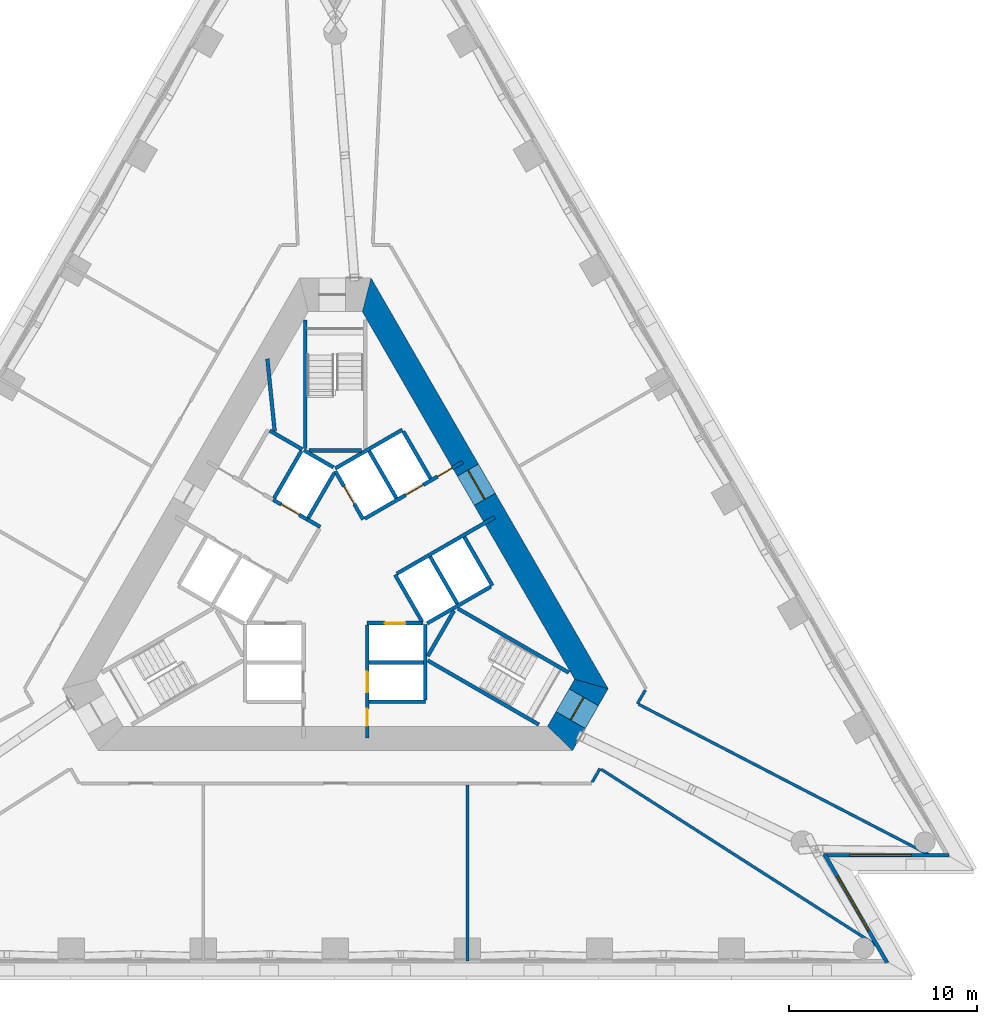
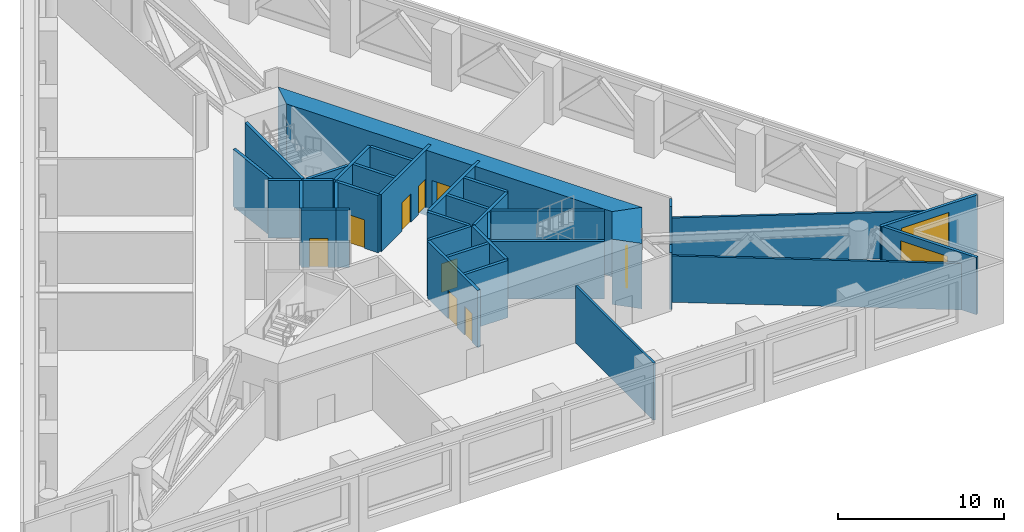
# One storey, part 8 of 12: 36 walls, 9 doors, 2 windows, 11 openings.
"""IFC4 building model written with IfcOpenShell, lengths in metres."""

import ifcopenshell
import ifcopenshell.guid

model = None  # the IFC model being written
_history = None  # IfcOwnerHistory: only IFC2X3 demands one
_inside = {}  # id of a spatial element -> (the spatial element, [elements in it])
_under = {}  # id of a project, library or spatial element -> (it, [spatial elements below it])
_declared = {}  # id of a project -> (the project, [libraries it declares])
_typed = {}  # id of a type object -> (the type object, [elements of that type])
_made_of = {}  # id of a material, layer set ... -> (it, [elements and type objects made of it])


def new_model(schema):
    """Start an empty IFC model of exactly this schema.

    Asked for "IFC4X3", IfcOpenShell would pick the latest addendum, in which some entities
    have other attributes; the version numbers below select the first issue.
    IFC2X3 requires an IfcOwnerHistory on every rooted entity: one is made here for all.
    """
    global model, _history
    if schema == "IFC4X3":
        model = ifcopenshell.file(schema_version=(4, 3, 0, 0))
    else:
        model = ifcopenshell.file(schema=schema)
    _inside.clear()
    _under.clear()
    _declared.clear()
    _typed.clear()
    _made_of.clear()
    _history = None
    if model.schema == "IFC2X3":
        org = make("IfcOrganization", Name="unknown")
        user = make(
            "IfcPersonAndOrganization",
            ThePerson=make("IfcPerson", FamilyName="unknown"),
            TheOrganization=org,
        )
        app = make(
            "IfcApplication",
            ApplicationDeveloper=org,
            Version="unknown",
            ApplicationFullName="unknown",
            ApplicationIdentifier="unknown",
        )
        _history = make(
            "IfcOwnerHistory",
            OwningUser=user,
            OwningApplication=app,
            ChangeAction="ADDED",
            CreationDate=0,
        )
    return model


def make(cls, **values):
    """One entity of the class cls with the attributes given. An attribute that is None is left unset."""
    return model.create_entity(
        cls, **{name: value for name, value in values.items() if value is not None}
    )


def rooted(cls, **values):
    """An entity with a GlobalId (a new one), such as an element, a storey or a relation."""
    return make(cls, GlobalId=ifcopenshell.guid.new(), OwnerHistory=_history, **values)


def si_unit(unit_type, name, prefix=None):
    """IfcSIUnit, for example si_unit("LENGTHUNIT", "METRE", prefix="MILLI")."""
    return make("IfcSIUnit", UnitType=unit_type, Prefix=prefix, Name=name)


def assignment(units):
    """IfcUnitAssignment: the units of a project."""
    return None if units is None else make("IfcUnitAssignment", Units=units)


def point(xyz):
    """IfcCartesianPoint."""
    return None if xyz is None else make("IfcCartesianPoint", Coordinates=xyz)


def direction(xyz):
    """IfcDirection."""
    return None if xyz is None else make("IfcDirection", DirectionRatios=xyz)


def frame(location, z_axis=None, x_axis=None):
    """IfcAxis2Placement3D, a coordinate frame: its origin and axes. An axis left out is left unset."""
    return make(
        "IfcAxis2Placement3D",
        Location=point(location),
        Axis=direction(z_axis),
        RefDirection=direction(x_axis),
    )


def frame_2d(location, x_axis=None):
    """IfcAxis2Placement2D, a coordinate frame in the plane: its origin and x axis."""
    return make(
        "IfcAxis2Placement2D", Location=point(location), RefDirection=direction(x_axis)
    )


def origin():
    """The frame at (0, 0, 0) with its axes left unset."""
    return frame((0.0, 0.0, 0.0))


def place(relative_to, where):
    """IfcLocalPlacement: puts the frame where relative to a parent placement (None: the world)."""
    return make(
        "IfcLocalPlacement", PlacementRelTo=relative_to, RelativePlacement=where
    )


def context(
    kind, dimensions, precision=None, world=None, true_north=None, identifier=None
):
    """IfcGeometricRepresentationContext, for example the 3D "Model" context."""
    return make(
        "IfcGeometricRepresentationContext",
        ContextIdentifier=identifier,
        ContextType=kind,
        CoordinateSpaceDimension=dimensions,
        Precision=precision,
        WorldCoordinateSystem=world,
        TrueNorth=true_north,
    )


def subcontext(parent, identifier, kind, view, scale=None):
    """IfcGeometricRepresentationSubContext, for example "Body" below "Model"."""
    return make(
        "IfcGeometricRepresentationSubContext",
        ContextIdentifier=identifier,
        ContextType=kind,
        ParentContext=parent,
        TargetScale=scale,
        TargetView=view,
    )


def project(units=None, contexts=None):
    """IfcProject with its units and contexts."""
    return rooted(
        "IfcProject",
        Name="project",
        RepresentationContexts=contexts,
        UnitsInContext=assignment(units),
    )


def spatial(cls, under=None, at=None, **own):
    """A site, building, storey or space (cls), placed at a placement, below another one or the project."""
    s = rooted(cls, ObjectPlacement=at, **own)
    if under is not None:
        _under.setdefault(under.id(), (under, []))[1].append(s)
    return s


def polyline(points):
    """IfcPolyline through the points."""
    return make("IfcPolyline", Points=[point(p) for p in points])


def profile(cls, at=None, kind="AREA", **sizes):
    """A parametric profile (cls). Its sizes go by their IFC names, for example OverallWidth=200.0."""
    return make(cls, ProfileType=kind, Position=at, **sizes)


def rectangle(**sizes):
    """IfcRectangleProfileDef."""
    return profile("IfcRectangleProfileDef", **sizes)


def outline(outer, holes=None, kind="AREA"):
    """IfcArbitraryClosedProfileDef: a profile drawn as a closed curve; with holes, ...WithVoids."""
    if holes is None:
        return make("IfcArbitraryClosedProfileDef", ProfileType=kind, OuterCurve=outer)
    return make(
        "IfcArbitraryProfileDefWithVoids",
        ProfileType=kind,
        OuterCurve=outer,
        InnerCurves=holes,
    )


def extrude(swept, where, along, depth):
    """IfcExtrudedAreaSolid: the profile swept, set in the frame where, extruded along a direction by depth."""
    return make(
        "IfcExtrudedAreaSolid",
        SweptArea=swept,
        Position=where,
        ExtrudedDirection=direction(along),
        Depth=depth,
    )


def shape(context_of_items, identifier, shape_type, items):
    """IfcShapeRepresentation: the items that make up one representation, for example the "Body"."""
    return make(
        "IfcShapeRepresentation",
        ContextOfItems=context_of_items,
        RepresentationIdentifier=identifier,
        RepresentationType=shape_type,
        Items=items,
    )


def material(Name=None, Category=None):
    """IfcMaterial."""
    return make("IfcMaterial", Name=Name, Category=Category)


def layer(
    of_material, thickness, ventilated=None, Name=None, Category=None, Priority=None
):
    """IfcMaterialLayer: one layer of a wall or slab, of a material (None: an air gap)."""
    return make(
        "IfcMaterialLayer",
        Material=of_material,
        LayerThickness=thickness,
        IsVentilated=ventilated,
        Name=Name,
        Category=Category,
        Priority=Priority,
    )


def layer_set(layers, Name=None):
    """IfcMaterialLayerSet."""
    return make("IfcMaterialLayerSet", MaterialLayers=layers, LayerSetName=Name)


def layer_usage(for_layer_set, set_direction, sense, offset, extent=None):
    """IfcMaterialLayerSetUsage: how a layer set lies in its element."""
    return make(
        "IfcMaterialLayerSetUsage",
        ForLayerSet=for_layer_set,
        LayerSetDirection=set_direction,
        DirectionSense=sense,
        OffsetFromReferenceLine=offset,
        ReferenceExtent=extent,
    )


def made_of(thing, what):
    """Note that an element or type object is made of a material, layer set ...; save() writes the relation."""
    if what is not None:
        _made_of.setdefault(what.id(), (what, []))[1].append(thing)
    return thing


def type_object(cls, material=None, **own):
    """A type object (cls), such as IfcWallType, which elements share."""
    return made_of(rooted(cls, **own), material)


def element(
    cls,
    number,
    at=None,
    inside=None,
    cuts=None,
    type_object=None,
    material=None,
    context=None,
    identifier="Body",
    shape_type=None,
    held_by="IfcProductDefinitionShape",
    body=None,
    shapes=None,
    **own,
):
    """One element of the class cls, such as IfcWall. Its Tag is "e" and its number.

    at: its placement. inside: the storey or other place that contains it. cuts: it is an
    opening in that element (IfcRelVoidsElement). A single representation is given by context,
    identifier, shape_type and body (its items); several are given by shapes. held_by: the class
    of the entity that holds the representations. save() writes the other relations.
    """
    e = rooted(cls, Tag="e%d" % number, ObjectPlacement=at, **own)
    if body is not None:
        shapes = [shape(context, identifier, shape_type, body)]
    if shapes is not None:
        e.Representation = make(held_by, Representations=shapes)
    if inside is not None:
        _inside.setdefault(inside.id(), (inside, []))[1].append(e)
    if cuts is not None:
        rooted(
            "IfcRelVoidsElement", RelatingBuildingElement=cuts, RelatedOpeningElement=e
        )
    if type_object is not None:
        _typed.setdefault(type_object.id(), (type_object, []))[1].append(e)
    return made_of(e, material)


def fill(opening, filler):
    """IfcRelFillsElement: the door or window that sits in an opening."""
    return rooted(
        "IfcRelFillsElement",
        RelatingOpeningElement=opening,
        RelatedBuildingElement=filler,
    )


def aggregate(whole, parts):
    """IfcRelAggregates: a whole, such as a stair, and the parts it consists of."""
    return rooted("IfcRelAggregates", RelatingObject=whole, RelatedObjects=parts)


def save(model, path):
    """Write the relations noted so far, then the file.

    IfcRelAggregates (storeys below a building ...), IfcRelContainedInSpatialStructure (elements
    in a storey), IfcRelDefinesByType, IfcRelAssociatesMaterial and IfcRelDeclares: one each for
    every whole, place, type object, material and project.
    """
    for whole, parts in _under.values():
        aggregate(whole, parts)
    for where, things in _inside.values():
        rooted(
            "IfcRelContainedInSpatialStructure",
            RelatedElements=things,
            RelatingStructure=where,
        )
    for kind, things in _typed.values():
        rooted("IfcRelDefinesByType", RelatedObjects=things, RelatingType=kind)
    for what, things in _made_of.values():
        rooted("IfcRelAssociatesMaterial", RelatedObjects=things, RelatingMaterial=what)
    for by, libraries in _declared.values():
        rooted("IfcRelDeclares", RelatingContext=by, RelatedDefinitions=libraries)
    model.write(path)


model = new_model("IFC4")

# Units and contexts
model_context = context("Model", 3, precision=1e-05, world=origin(), true_north=direction((0.0, 1.0)))
body_context = subcontext(model_context, "Body", "Model", "MODEL_VIEW")
ifc_project = project(units=[si_unit("LENGTHUNIT", "METRE"), si_unit("AREAUNIT", "SQUARE_METRE"), si_unit("VOLUMEUNIT", "CUBIC_METRE"), si_unit("PLANEANGLEUNIT", "RADIAN"), si_unit("MASSUNIT", "GRAM", prefix="KILO")], contexts=[model_context])

# Site, building, storey
site_placement = place(None, origin())
site = spatial("IfcSite", under=ifc_project, at=site_placement, CompositionType="ELEMENT")
building_placement = place(site_placement, origin())
building = spatial("IfcBuilding", under=site, at=building_placement, Name="Triada Interchange Tower", CompositionType="ELEMENT")
storey_placement = place(building_placement, frame((0.0, 0.0, 99.800048828125)))
storey = spatial("IfcBuildingStorey", under=building, at=storey_placement, Name="L22", CompositionType="ELEMENT", Elevation=99.800048828125)

# Walls
ifc_material_1 = material(Name="Concrete C30/37", Category="concrete")
ifc_layer_1 = layer(ifc_material_1, 0.199951171875)
ifc_layer_set_1 = layer_set([ifc_layer_1], Name="CORE WALL 200 EI 120")
wall_type_1 = type_object("IfcWallType", Name="CORE WALL 200 EI 120", PredefinedType="SOLIDWALL", material=ifc_layer_set_1)
wall_1_placement = place(storey_placement, frame((1.800048828125, -4.800048828125, 0.0), z_axis=(0.0, 0.0, 1.0), x_axis=(1.0, 0.0, 0.0)))
element("IfcWall", 1, at=wall_1_placement, inside=storey, type_object=wall_type_1, Name="Wall L22 25", PredefinedType="SOLIDWALL", context=body_context, shape_type="SweptSolid", body=[
    extrude(rectangle(XDim=2.89990234375, YDim=0.199951171875, at=frame_2d((1.449951171875, 0.0))), origin(), (0.0, 0.0, 1.0), 4.199951171875),
])
wall_2_placement = place(storey_placement, frame((1.800048828125, -6.89990234375, 0.0), z_axis=(0.0, 0.0, 1.0), x_axis=(1.0, 0.0, 0.0)))
element("IfcWall", 2, at=wall_2_placement, inside=storey, type_object=wall_type_1, Name="Wall L22 28", PredefinedType="SOLIDWALL", context=body_context, shape_type="SweptSolid", body=[
    extrude(rectangle(XDim=3.0, YDim=0.199951171875, at=frame_2d((1.5, 0.0))), origin(), (0.0, 0.0, 1.0), 4.199951171875),
])

# Wall, opening, door
wall_3_placement = place(storey_placement, frame((1.702880859375, -2.699951171875, 0.0), z_axis=(0.0, 0.0, 1.0), x_axis=(1.0, 0.0, 0.0)))
wall_3 = element("IfcWall", 3, at=wall_3_placement, inside=storey, type_object=wall_type_1, Name="Wall L22 31", PredefinedType="SOLIDWALL", context=body_context, shape_type="SweptSolid", body=[
    extrude(rectangle(XDim=2.97314453125, YDim=0.199951171875, at=frame_2d((1.486572265625, 0.0))), origin(), (0.0, 0.0, 1.0), 4.199951171875),
])
opening_1_placement = place(wall_3_placement, frame((0.93603515625, 0.0, 0.0)))
opening_1 = element("IfcOpeningElement", 4, at=opening_1_placement, cuts=wall_3, Name="Opening LD-LR1", PredefinedType="OPENING", context=body_context, shape_type="SweptSolid", body=[
    extrude(rectangle(XDim=1.10009765625, YDim=2.10009765625, at=frame_2d((0.550048828125, 1.050048828125))), frame((0.0, 0.10986328125, 0.0), z_axis=(0.0, -1.0, 0.0), x_axis=(1.0, 0.0, 0.0)), (0.0, 0.0, 1.0), 0.219970703125),
])
ifc_material_2 = material(Name="Steel S235 door leaf", Category="steel")
door_type_1 = type_object("IfcDoorType", Name="LIFT LANDING DOOR 1100 EI 120", OperationType="SLIDING_TO_LEFT", PredefinedType="DOOR", material=ifc_material_2)
door_1_placement = place(opening_1_placement, origin())
door_1 = element("IfcDoor", 5, at=door_1_placement, inside=storey, type_object=door_type_1, Name="LR1 landing door L22", OperationType="SLIDING_TO_LEFT", OverallHeight=2.10009765625, OverallWidth=1.10009765625, PredefinedType="DOOR", context=body_context, shape_type="SweptSolid", body=[
    extrude(rectangle(XDim=1.10009765625, YDim=2.10009765625, at=frame_2d((0.550048828125, 1.050048828125))), frame((0.0, 0.02490234375, 0.0), z_axis=(0.0, -1.0, 0.0), x_axis=(1.0, 0.0, 0.0)), (0.0, 0.0, 1.0), 0.050048828125),
])
fill(opening_1, door_1)

# Wall
wall_4_placement = place(storey_placement, frame((-0.001953125, 5.541015625, 0.0), z_axis=(0.0, 0.0, 1.0), x_axis=(0.86600155993, 0.500041296494, 0.0)))
element("IfcWall", 6, at=wall_4_placement, inside=storey, type_object=wall_type_1, Name="Wall L22 32", PredefinedType="SOLIDWALL", context=body_context, shape_type="SweptSolid", body=[
    extrude(rectangle(XDim=4.131591796875, YDim=0.199951171875, at=frame_2d((2.06591796875, 0.0))), origin(), (0.0, 0.0, 1.0), 4.199951171875),
])

# Wall, opening, door
wall_5_placement = place(storey_placement, frame((0.0, 5.39990234375, 0.0), z_axis=(0.0, 0.0, 1.0), x_axis=(0.500103862429, -0.865965430478, 0.0)))
wall_5 = element("IfcWall", 7, at=wall_5_placement, inside=storey, type_object=wall_type_1, Name="Wall L22 33", PredefinedType="SOLIDWALL", context=body_context, shape_type="SweptSolid", body=[
    extrude(rectangle(XDim=2.973388671875, YDim=0.199951171875, at=frame_2d((1.48681640625, 0.0))), origin(), (0.0, 0.0, 1.0), 4.199951171875),
])
opening_2_placement = place(wall_5_placement, frame((0.93701171875, 0.0, 0.0)))
opening_2 = element("IfcOpeningElement", 8, at=opening_2_placement, cuts=wall_5, Name="Opening LD-LR5", PredefinedType="OPENING", context=body_context, shape_type="SweptSolid", body=[
    extrude(rectangle(XDim=1.10009765625, YDim=2.10009765625, at=frame_2d((0.550048828125, 1.050048828125))), frame((0.0, 0.10986328125, 0.0), z_axis=(0.0, -1.0, 0.0), x_axis=(1.0, 0.0, 0.0)), (0.0, 0.0, 1.0), 0.219970703125),
])
door_2_placement = place(opening_2_placement, origin())
door_2 = element("IfcDoor", 9, at=door_2_placement, inside=storey, type_object=door_type_1, Name="LR5 landing door L22", OperationType="SLIDING_TO_LEFT", OverallHeight=2.10009765625, OverallWidth=1.10009765625, PredefinedType="DOOR", context=body_context, shape_type="SweptSolid", body=[
    extrude(rectangle(XDim=1.10009765625, YDim=2.10009765625, at=frame_2d((0.550048828125, 1.050048828125))), frame((0.0, 0.02490234375, 0.0), z_axis=(0.0, -1.0, 0.0), x_axis=(1.0, 0.0, 0.0)), (0.0, 0.0, 1.0), 0.050048828125),
])
fill(opening_2, door_2)

# Wall
wall_6_placement = place(storey_placement, frame((3.18994140625, -0.125, 0.0), z_axis=(0.0, 0.0, 1.0), x_axis=(0.499988658015, -0.866031951983, 0.0)))
element("IfcWall", 10, at=wall_6_placement, inside=storey, type_object=wall_type_1, Name="Wall L22 34", PredefinedType="SOLIDWALL", context=body_context, shape_type="SweptSolid", body=[
    extrude(rectangle(XDim=2.85791015625, YDim=0.199951171875, at=frame_2d((1.428955078125, 0.0))), origin(), (0.0, 0.0, 1.0), 4.199951171875),
])

# Wall, openings, doors
wall_7_placement = place(storey_placement, frame((1.577880859375, 2.8740234375, 0.0), z_axis=(0.0, 0.0, 1.0), x_axis=(0.866053365281, 0.49995156614, 0.0)))
wall_7 = element("IfcWall", 11, at=wall_7_placement, inside=storey, type_object=wall_type_1, Name="Wall L22 35", PredefinedType="SOLIDWALL", context=body_context, shape_type="SweptSolid", body=[
    extrude(rectangle(XDim=6.0263671875, YDim=0.199951171875, at=frame_2d((3.01318359375, 0.0))), origin(), (0.0, 0.0, 1.0), 4.199951171875),
])
opening_3_placement = place(wall_7_placement, frame((2.49609375, 0.0, 0.0)))
opening_3 = element("IfcOpeningElement", 12, at=opening_3_placement, cuts=wall_7, Name="Opening LD-LR6", PredefinedType="OPENING", context=body_context, shape_type="SweptSolid", body=[
    extrude(rectangle(XDim=1.10009765625, YDim=2.10009765625, at=frame_2d((0.550048828125, 1.050048828125))), frame((0.0, 0.10986328125, 0.0), z_axis=(0.0, -1.0, 0.0), x_axis=(1.0, 0.0, 0.0)), (0.0, 0.0, 1.0), 0.219970703125),
])
opening_4_placement = place(wall_7_placement, frame((4.470947265625, 0.0, 0.0)))
opening_4 = element("IfcOpeningElement", 13, at=opening_4_placement, cuts=wall_7, Name="Opening D22-28", PredefinedType="OPENING", context=body_context, shape_type="SweptSolid", body=[
    extrude(rectangle(XDim=0.89990234375, YDim=2.10009765625, at=frame_2d((0.449951171875, 1.050048828125))), frame((0.0, 0.10986328125, 0.0), z_axis=(0.0, -1.0, 0.0), x_axis=(1.0, 0.0, 0.0)), (0.0, 0.0, 1.0), 0.219970703125),
])
door_3_placement = place(opening_3_placement, origin())
door_3 = element("IfcDoor", 14, at=door_3_placement, inside=storey, type_object=door_type_1, Name="LR6 landing door L22", OperationType="SLIDING_TO_LEFT", OverallHeight=2.10009765625, OverallWidth=1.10009765625, PredefinedType="DOOR", context=body_context, shape_type="SweptSolid", body=[
    extrude(rectangle(XDim=1.10009765625, YDim=2.10009765625, at=frame_2d((0.550048828125, 1.050048828125))), frame((0.0, 0.02490234375, 0.0), z_axis=(0.0, -1.0, 0.0), x_axis=(1.0, 0.0, 0.0)), (0.0, 0.0, 1.0), 0.050048828125),
])
fill(opening_3, door_3)
door_type_2 = type_object("IfcDoorType", Name="RISER ACCESS DOOR 900 EI2 45-C5S200", OperationType="NOTDEFINED", PredefinedType="DOOR", material=ifc_material_2)
door_4_placement = place(opening_4_placement, origin())
door_4 = element("IfcDoor", 15, at=door_4_placement, inside=storey, type_object=door_type_2, Name="Door D22-28 L22", OperationType="SINGLE_SWING_LEFT", OverallHeight=2.10009765625, OverallWidth=0.89990234375, PredefinedType="DOOR", context=body_context, shape_type="SweptSolid", body=[
    extrude(rectangle(XDim=0.89990234375, YDim=2.10009765625, at=frame_2d((0.449951171875, 1.050048828125))), frame((0.0, 0.02490234375, 0.0), z_axis=(0.0, -1.0, 0.0), x_axis=(1.0, 0.0, 0.0)), (0.0, 0.0, 1.0), 0.050048828125),
])
fill(opening_4, door_4)

wall_8_placement = place(storey_placement, frame((1.699951171875, -8.830078125, 0.0), z_axis=(0.0, 0.0, 1.0), x_axis=(0.0, 1.0, 0.0)))
wall_8 = element("IfcWall", 16, at=wall_8_placement, inside=storey, type_object=wall_type_1, Name="Wall L22 36", PredefinedType="SOLIDWALL", context=body_context, shape_type="SweptSolid", body=[
    extrude(rectangle(XDim=6.027099609375, YDim=0.199951171875, at=frame_2d((3.013671875, 0.0))), origin(), (0.0, 0.0, 1.0), 4.199951171875),
])
opening_5_placement = place(wall_8_placement, frame((2.429931640625, 0.0, 0.0)))
opening_5 = element("IfcOpeningElement", 17, at=opening_5_placement, cuts=wall_8, Name="Opening LD-LR2", PredefinedType="OPENING", context=body_context, shape_type="SweptSolid", body=[
    extrude(rectangle(XDim=1.10009765625, YDim=2.10009765625, at=frame_2d((0.550048828125, 1.050048828125))), frame((0.0, 0.10986328125, 0.0), z_axis=(0.0, -1.0, 0.0), x_axis=(1.0, 0.0, 0.0)), (0.0, 0.0, 1.0), 0.219970703125),
])
opening_6_placement = place(wall_8_placement, frame((0.655029296875, 0.0, 0.0)))
opening_6 = element("IfcOpeningElement", 18, at=opening_6_placement, cuts=wall_8, Name="Opening D22-26", PredefinedType="OPENING", context=body_context, shape_type="SweptSolid", body=[
    extrude(rectangle(XDim=0.89990234375, YDim=2.10009765625, at=frame_2d((0.449951171875, 1.050048828125))), frame((0.0, 0.10986328125, 0.0), z_axis=(0.0, -1.0, 0.0), x_axis=(1.0, 0.0, 0.0)), (0.0, 0.0, 1.0), 0.219970703125),
])
door_5_placement = place(opening_5_placement, origin())
door_5 = element("IfcDoor", 19, at=door_5_placement, inside=storey, type_object=door_type_1, Name="LR2 landing door L22", OperationType="SLIDING_TO_LEFT", OverallHeight=2.10009765625, OverallWidth=1.10009765625, PredefinedType="DOOR", context=body_context, shape_type="SweptSolid", body=[
    extrude(rectangle(XDim=1.10009765625, YDim=2.10009765625, at=frame_2d((0.550048828125, 1.050048828125))), frame((0.0, 0.02490234375, 0.0), z_axis=(0.0, -1.0, 0.0), x_axis=(1.0, 0.0, 0.0)), (0.0, 0.0, 1.0), 0.050048828125),
])
fill(opening_5, door_5)
door_type_3 = type_object("IfcDoorType", Name="SERVICE DOOR 900 EI2 45-C5S200", OperationType="NOTDEFINED", PredefinedType="DOOR", material=ifc_material_2)
door_6_placement = place(opening_6_placement, origin())
door_6 = element("IfcDoor", 20, at=door_6_placement, inside=storey, type_object=door_type_3, Name="Door D22-26 L22", OperationType="SINGLE_SWING_LEFT", OverallHeight=2.10009765625, OverallWidth=0.89990234375, PredefinedType="DOOR", context=body_context, shape_type="SweptSolid", body=[
    extrude(rectangle(XDim=0.89990234375, YDim=2.10009765625, at=frame_2d((0.449951171875, 1.050048828125))), frame((0.0, 0.02490234375, 0.0), z_axis=(0.0, -1.0, 0.0), x_axis=(1.0, 0.0, 0.0)), (0.0, 0.0, 1.0), 0.050048828125),
])
fill(opening_6, door_6)

# Walls
wall_9_placement = place(storey_placement, frame((4.800048828125, -6.800048828125, 0.0), z_axis=(0.0, 0.0, 1.0), x_axis=(0.0, 1.0, 0.0)))
element("IfcWall", 21, at=wall_9_placement, inside=storey, type_object=wall_type_1, Name="Wall L22 37", PredefinedType="SOLIDWALL", context=body_context, shape_type="SweptSolid", body=[
    extrude(rectangle(XDim=4.029052734375, YDim=0.199951171875, at=frame_2d((2.0146484375, 0.0))), origin(), (0.0, 0.0, 1.0), 4.199951171875),
])
wall_10_placement = place(storey_placement, frame((3.278076171875, -0.071044921875, 0.0), z_axis=(0.0, 0.0, 1.0), x_axis=(0.865955525127, 0.500121013857, 0.0)))
element("IfcWall", 22, at=wall_10_placement, inside=storey, type_object=wall_type_1, Name="Wall L22 38", PredefinedType="SOLIDWALL", context=body_context, shape_type="SweptSolid", body=[
    extrude(rectangle(XDim=6.02685546875, YDim=0.199951171875, at=frame_2d((3.013427734375, 0.0))), origin(), (0.0, 0.0, 1.0), 4.199951171875),
])
wall_11_placement = place(storey_placement, frame((3.6259765625, 7.52001953125, 0.0), z_axis=(0.0, 0.0, 1.0), x_axis=(0.500060147554, -0.865990674793, 0.0)))
element("IfcWall", 23, at=wall_11_placement, inside=storey, type_object=wall_type_1, Name="Wall L22 39", PredefinedType="SOLIDWALL", context=body_context, shape_type="SweptSolid", body=[
    extrude(rectangle(XDim=2.899658203125, YDim=0.199951171875, at=frame_2d((1.44970703125, 0.0))), origin(), (0.0, 0.0, 1.0), 4.199951171875),
])
wall_12_placement = place(storey_placement, frame((6.8759765625, 1.89111328125, 0.0), z_axis=(0.0, 0.0, 1.0), x_axis=(0.499990139034, -0.866031096941, 0.0)))
element("IfcWall", 24, at=wall_12_placement, inside=storey, type_object=wall_type_1, Name="Wall L22 40", PredefinedType="SOLIDWALL", context=body_context, shape_type="SweptSolid", body=[
    extrude(rectangle(XDim=3.0, YDim=0.199951171875, at=frame_2d((1.5, 0.0))), origin(), (0.0, 0.0, 1.0), 4.199951171875),
])
for number, where, z_axis, x_axis, name in (
    (25, (1.806884765625, 6.469970703125, 0.0), (0.0, 0.0, 1.0), (0.50012328804, -0.865954211699, 0.0), "Wall L22 41"),
    (26, (5.056884765625, 0.841064453125, 0.0), (0.0, 0.0, 1.0), (0.50012328804, -0.865954211699, 0.0), "Wall L22 42"),
):
    element("IfcWall", number, at=place(storey_placement, frame(where, z_axis=z_axis, x_axis=x_axis)), inside=storey, type_object=wall_type_1, Name=name, PredefinedType="SOLIDWALL", context=body_context, shape_type="SweptSolid", body=[
        extrude(rectangle(XDim=2.899658203125, YDim=0.199951171875, at=frame_2d((1.44970703125, 0.0))), origin(), (0.0, 0.0, 1.0), 4.199951171875),
    ])
wall_13_placement = place(storey_placement, frame((4.89990234375, -2.714111328125, 0.0), z_axis=(0.0, 0.0, 1.0), x_axis=(0.865992350556, 0.500057245502, 0.0)))
element("IfcWall", 27, at=wall_13_placement, inside=storey, type_object=wall_type_1, Name="Wall L22 43", PredefinedType="SOLIDWALL", context=body_context, shape_type="SweptSolid", body=[
    extrude(rectangle(XDim=3.91357421875, YDim=0.199951171875, at=frame_2d((1.956787109375, 0.0))), origin(), (0.0, 0.0, 1.0), 4.199951171875),
])
ifc_layer_2 = layer(ifc_material_1, 0.199951171875)
ifc_layer_set_2 = layer_set([ifc_layer_2], Name="CORE WALL 200 EI 180")
wall_type_2 = type_object("IfcWallType", Name="CORE WALL 200 EI 180", PredefinedType="SOLIDWALL", material=ifc_layer_set_2)
wall_14_placement = place(storey_placement, frame((-1.488037109375, 2.822021484375, 0.0), z_axis=(0.0, 0.0, 1.0), x_axis=(0.866236612152, -0.499633997809, 0.0)))
element("IfcWall", 28, at=wall_14_placement, inside=storey, type_object=wall_type_2, Name="Wall L22 47", PredefinedType="SOLIDWALL", context=body_context, shape_type="SweptSolid", body=[
    extrude(rectangle(XDim=0.79638671875, YDim=0.199951171875, at=frame_2d((0.398193359375, 0.0))), origin(), (0.0, 0.0, 1.0), 4.199951171875),
])
wall_15_placement = place(storey_placement, frame((-3.489013671875, 7.556884765625, 0.0), z_axis=(0.0, 0.0, 1.0), x_axis=(0.866010750942, -0.50002537861, 0.0)))
element("IfcWall", 29, at=wall_15_placement, inside=storey, type_object=wall_type_2, Name="Wall L22 49", PredefinedType="SOLIDWALL", context=body_context, shape_type="SweptSolid", body=[
    extrude(rectangle(XDim=2.0, YDim=0.199951171875, at=frame_2d((1.0, 0.0))), origin(), (0.0, 0.0, 1.0), 4.199951171875),
])

# Wall, opening, door
wall_16_placement = place(storey_placement, frame((-3.30908203125, 3.873046875, 0.0), z_axis=(0.0, 0.0, 1.0), x_axis=(0.866098583652, -0.499873227325, 0.0)))
wall_16 = element("IfcWall", 30, at=wall_16_placement, inside=storey, type_object=wall_type_2, Name="Shaft wall FF2 L22 55", PredefinedType="SOLIDWALL", context=body_context, shape_type="SweptSolid", body=[
    extrude(rectangle(XDim=2.1025390625, YDim=0.199951171875, at=frame_2d((1.05126953125, 0.0))), origin(), (0.0, 0.0, 1.0), 4.199951171875),
])
opening_7_placement = place(wall_16_placement, frame((0.501953125, 0.0, 0.0)))
opening_7 = element("IfcOpeningElement", 31, at=opening_7_placement, cuts=wall_16, Name="Opening LD-FF2", PredefinedType="OPENING", context=body_context, shape_type="SweptSolid", body=[
    extrude(rectangle(XDim=1.10009765625, YDim=2.10009765625, at=frame_2d((0.550048828125, 1.050048828125))), frame((0.0, 0.10986328125, 0.0), z_axis=(0.0, -1.0, 0.0), x_axis=(1.0, 0.0, 0.0)), (0.0, 0.0, 1.0), 0.219970703125),
])
door_7_placement = place(opening_7_placement, origin())
door_7 = element("IfcDoor", 32, at=door_7_placement, inside=storey, type_object=door_type_1, Name="FF2 landing door L22", OperationType="SLIDING_TO_LEFT", OverallHeight=2.10009765625, OverallWidth=1.10009765625, PredefinedType="DOOR", context=body_context, shape_type="SweptSolid", body=[
    extrude(rectangle(XDim=1.10009765625, YDim=2.10009765625, at=frame_2d((0.550048828125, 1.050048828125))), frame((0.0, 0.02490234375, 0.0), z_axis=(0.0, -1.0, 0.0), x_axis=(1.0, 0.0, 0.0)), (0.0, 0.0, 1.0), 0.050048828125),
])
fill(opening_7, door_7)

# Walls
wall_17_placement = place(storey_placement, frame((-3.257080078125, 3.958984375, 0.0), z_axis=(0.0, 0.0, 1.0), x_axis=(0.50012328804, 0.865954211699, 0.0)))
element("IfcWall", 33, at=wall_17_placement, inside=storey, type_object=wall_type_2, Name="Shaft wall FF2 L22 56", PredefinedType="SOLIDWALL", context=body_context, shape_type="SweptSolid", body=[
    extrude(rectangle(XDim=2.899658203125, YDim=0.199951171875, at=frame_2d((1.44970703125, 0.0))), origin(), (0.0, 0.0, 1.0), 4.199951171875),
])
wall_18_placement = place(storey_placement, frame((-1.669921875, 6.507080078125, 0.0), z_axis=(0.0, 0.0, 1.0), x_axis=(0.865941441609, -0.500145398563, 0.0)))
element("IfcWall", 34, at=wall_18_placement, inside=storey, type_object=wall_type_2, Name="Shaft wall FF2 L22 57", PredefinedType="SOLIDWALL", context=body_context, shape_type="SweptSolid", body=[
    extrude(rectangle(XDim=1.8154296875, YDim=0.199951171875, at=frame_2d((0.90771484375, 0.0))), origin(), (0.0, 0.0, 1.0), 4.199951171875),
])
wall_19_placement = place(storey_placement, frame((-1.43798828125, 2.908935546875, 0.0), z_axis=(0.0, 0.0, 1.0), x_axis=(0.499829630636, 0.866123744241, 0.0)))
element("IfcWall", 35, at=wall_19_placement, inside=storey, type_object=wall_type_2, Name="Shaft wall FF2 L22 58", PredefinedType="SOLIDWALL", context=body_context, shape_type="SweptSolid", body=[
    extrude(rectangle(XDim=2.7607421875, YDim=0.199951171875, at=frame_2d((1.38037109375, 0.0))), origin(), (0.0, 0.0, 1.0), 4.199951171875),
])
ifc_layer_3 = layer(ifc_material_1, 0.199951171875)
ifc_layer_set_3 = layer_set([ifc_layer_3], Name="CORE WALL 200 EI 90")
wall_type_3 = type_object("IfcWallType", Name="CORE WALL 200 EI 90", PredefinedType="SOLIDWALL", material=ifc_layer_set_3)
wall_20_placement = place(storey_placement, frame((-3.6201171875, 11.388916015625, 0.0), z_axis=(0.0, 0.0, 1.0), x_axis=(0.100405723382, -0.994946576813, 0.0)))
element("IfcWall", 36, at=wall_20_placement, inside=storey, type_object=wall_type_3, Name="Wall L22 59", PredefinedType="SOLIDWALL", context=body_context, shape_type="SweptSolid", body=[
    extrude(rectangle(XDim=3.885498046875, YDim=0.199951171875, at=frame_2d((1.94287109375, 0.0))), origin(), (0.0, 0.0, 1.0), 4.199951171875),
])
ifc_layer_4 = layer(ifc_material_1, 0.199951171875)
ifc_layer_set_4 = layer_set([ifc_layer_4], Name="CORE WALL 200 REI 240")
wall_type_4 = type_object("IfcWallType", Name="CORE WALL 200 REI 240", PredefinedType="SOLIDWALL", material=ifc_layer_set_4)
wall_21_placement = place(storey_placement, frame((-1.39990234375, 6.5, 0.0), z_axis=(0.0, 0.0, 1.0), x_axis=(1.0, 0.0, 0.0)))
element("IfcWall", 37, at=wall_21_placement, inside=storey, type_object=wall_type_4, Name="Wall L22 64", PredefinedType="SOLIDWALL", context=body_context, shape_type="SweptSolid", body=[
    extrude(rectangle(XDim=2.7998046875, YDim=0.199951171875, at=frame_2d((1.39990234375, 0.0))), origin(), (0.0, 0.0, 1.0), 4.199951171875),
])
wall_22_placement = place(storey_placement, frame((-1.60009765625, 6.614990234375, 0.0), z_axis=(0.0, 0.0, 1.0), x_axis=(0.0, 1.0, 0.0)))
element("IfcWall", 38, at=wall_22_placement, inside=storey, type_object=wall_type_4, Name="Wall L22 65", PredefinedType="SOLIDWALL", context=body_context, shape_type="SweptSolid", body=[
    extrude(rectangle(XDim=6.840087890625, YDim=0.199951171875, at=frame_2d((3.419921875, 0.0))), origin(), (0.0, 0.0, 1.0), 4.199951171875),
])
wall_23_placement = place(storey_placement, frame((4.928955078125, -4.693115234375, 0.0), z_axis=(0.0, 0.0, 1.0), x_axis=(0.866047105788, -0.499962409144, 0.0)))
element("IfcWall", 39, at=wall_23_placement, inside=storey, type_object=wall_type_4, Name="Wall L22 66", PredefinedType="SOLIDWALL", context=body_context, shape_type="SweptSolid", body=[
    extrude(rectangle(XDim=6.84033203125, YDim=0.199951171875, at=frame_2d((3.420166015625, 0.0))), origin(), (0.0, 0.0, 1.0), 4.199951171875),
])
wall_24_placement = place(storey_placement, frame((4.928955078125, -4.4619140625, 0.0), z_axis=(0.0, 0.0, 1.0), x_axis=(0.500200581029, 0.865909567298, 0.0)))
element("IfcWall", 40, at=wall_24_placement, inside=storey, type_object=wall_type_4, Name="Wall L22 67", PredefinedType="SOLIDWALL", context=body_context, shape_type="SweptSolid", body=[
    extrude(rectangle(XDim=2.799072265625, YDim=0.199951171875, at=frame_2d((1.3994140625, 0.0))), origin(), (0.0, 0.0, 1.0), 4.199951171875),
])
wall_25_placement = place(storey_placement, frame((6.529052734375, -1.922119140625, 0.0), z_axis=(0.0, 0.0, 1.0), x_axis=(0.866002488145, -0.500039688951, 0.0)))
element("IfcWall", 41, at=wall_25_placement, inside=storey, type_object=wall_type_4, Name="Wall L22 68", PredefinedType="SOLIDWALL", context=body_context, shape_type="SweptSolid", body=[
    extrude(rectangle(XDim=6.83935546875, YDim=0.199951171875, at=frame_2d((3.419677734375, 0.0))), origin(), (0.0, 0.0, 1.0), 4.199951171875),
])

# Wall, opening, door
ifc_material_3 = material(Name="Concrete C70/85", Category="concrete")
ifc_layer_5 = layer(ifc_material_3, 1.300048828125)
ifc_layer_set_5 = layer_set([ifc_layer_5], Name="Core wall A 1300")
wall_type_5 = type_object("IfcWallType", Name="Core wall A 1300", PredefinedType="SHEAR", material=ifc_layer_set_5)
wall_26_placement = place(storey_placement, frame((13.654052734375, -5.949951171875, -0.60009765625), z_axis=(0.0, 0.0, 1.0), x_axis=(-0.499998822509, 0.866026083608, 0.0)))
wall_26 = element("IfcWall", 42, at=wall_26_placement, inside=storey, type_object=wall_type_5, Name="Core wall WA12 L22", PredefinedType="SHEAR", context=body_context, shape_type="SweptSolid", body=[
    extrude(outline(polyline([(-0.6640625, -0.64990234375), (1.28125, -0.64990234375), (3.226318359375, -0.64990234375), (5.171630859375, -0.64990234375), (7.116943359375, -0.64990234375), (9.06201171875, -0.64990234375), (11.00732421875, -0.64990234375), (12.95263671875, -0.64990234375), (14.89794921875, -0.64990234375), (16.843017578125, -0.64990234375), (18.788330078125, -0.64990234375), (20.733642578125, -0.64990234375), (22.6787109375, -0.64990234375), (24.6240234375, -0.64990234375), (23.2958984375, 0.64990234375), (21.409912109375, 0.64990234375), (19.52392578125, 0.64990234375), (17.637939453125, 0.64990234375), (15.751953125, 0.64990234375), (13.865966796875, 0.64990234375), (11.97998046875, 0.64990234375), (10.093994140625, 0.64990234375), (8.2080078125, 0.64990234375), (6.322021484375, 0.64990234375), (4.43603515625, 0.64990234375), (2.550048828125, 0.64990234375), (0.6640625, 0.64990234375), (-0.6640625, -0.64990234375)])), origin(), (0.0, 0.0, 1.0), 4.800048828125),
])
opening_8_placement = place(wall_26_placement, frame((11.368896484375, 0.0, 0.60009765625)))
opening_8 = element("IfcOpeningElement", 43, at=opening_8_placement, cuts=wall_26, Name="Opening D22-20", PredefinedType="OPENING", context=body_context, shape_type="SweptSolid", body=[
    extrude(rectangle(XDim=1.800048828125, YDim=2.10009765625, at=frame_2d((0.89990234375, 1.050048828125))), frame((0.0, 0.659912109375, 0.0), z_axis=(0.0, -1.0, 0.0), x_axis=(1.0, 0.0, 0.0)), (0.0, 0.0, 1.0), 1.320068359375),
])
door_type_4 = type_object("IfcDoorType", Name="LOBBY DOOR 1800 EI2 90-C5S200", OperationType="DOUBLE_DOOR_SINGLE_SWING", PredefinedType="DOOR", material=ifc_material_2)
door_8_placement = place(opening_8_placement, origin())
door_8 = element("IfcDoor", 44, at=door_8_placement, inside=storey, type_object=door_type_4, Name="Door D22-20 L22", OperationType="DOUBLE_DOOR_SINGLE_SWING", OverallHeight=2.10009765625, OverallWidth=1.800048828125, PredefinedType="DOOR", context=body_context, shape_type="SweptSolid", body=[
    extrude(rectangle(XDim=1.800048828125, YDim=2.10009765625, at=frame_2d((0.89990234375, 1.050048828125))), frame((0.0, 0.02490234375, 0.0), z_axis=(0.0, -1.0, 0.0), x_axis=(1.0, 0.0, 0.0)), (0.0, 0.0, 1.0), 0.050048828125),
])
fill(opening_8, door_8)

ifc_layer_6 = layer(ifc_material_3, 1.800048828125)
ifc_layer_set_6 = layer_set([ifc_layer_6], Name="Core wall A 1800")
wall_type_6 = type_object("IfcWallType", Name="Core wall A 1800", PredefinedType="SHEAR", material=ifc_layer_set_6)
wall_27_placement = place(storey_placement, frame((11.97998046875, -8.85009765625, -0.60009765625), z_axis=(0.0, 0.0, 1.0), x_axis=(0.499926515799, 0.866067825751, 0.0)))
wall_27 = element("IfcWall", 45, at=wall_27_placement, inside=storey, type_object=wall_type_6, Name="Core wall WA11 L22", PredefinedType="SHEAR", context=body_context, shape_type="SweptSolid", body=[
    extrude(outline(polyline([(-0.23095703125, -0.89990234375), (1.674072265625, -0.89990234375), (3.5791015625, -0.89990234375), (3.117919921875, 0.89990234375), (1.67431640625, 0.89990234375), (0.23095703125, 0.89990234375), (-0.23095703125, -0.89990234375)])), origin(), (0.0, 0.0, 1.0), 4.800048828125),
])
opening_9_placement = place(wall_27_placement, frame((1.133056640625, 0.0, 0.60009765625)))
opening_9 = element("IfcOpeningElement", 46, at=opening_9_placement, cuts=wall_27, Name="Opening D22-23", PredefinedType="OPENING", context=body_context, shape_type="SweptSolid", body=[
    extrude(rectangle(XDim=1.39990234375, YDim=2.10009765625, at=frame_2d((0.699951171875, 1.050048828125))), frame((0.0, 0.909912109375, 0.0), z_axis=(0.0, -1.0, 0.0), x_axis=(1.0, 0.0, 0.0)), (0.0, 0.0, 1.0), 1.820068359375),
])
door_type_5 = type_object("IfcDoorType", Name="STAIR DOOR 1400 EI2 90-C5S200", OperationType="DOUBLE_DOOR_SINGLE_SWING", PredefinedType="DOOR", material=ifc_material_2)
door_9_placement = place(opening_9_placement, origin())
door_9 = element("IfcDoor", 47, at=door_9_placement, inside=storey, type_object=door_type_5, Name="Door D22-23 L22", OperationType="DOUBLE_DOOR_SINGLE_SWING", OverallHeight=2.10009765625, OverallWidth=1.39990234375, PredefinedType="DOOR", context=body_context, shape_type="SweptSolid", body=[
    extrude(rectangle(XDim=1.39990234375, YDim=2.10009765625, at=frame_2d((0.699951171875, 1.050048828125))), frame((0.0, 0.02490234375, 0.0), z_axis=(0.0, -1.0, 0.0), x_axis=(1.0, 0.0, 0.0)), (0.0, 0.0, 1.0), 0.050048828125),
])
fill(opening_9, door_9)

# Wall, opening, window
ifc_material_4 = material(Name="Cement board")
ifc_layer_7 = layer(ifc_material_4, 0.02001953125, Name="Cement board cladding")
ifc_material_5 = material(Name="Sheathing board")
ifc_layer_8 = layer(ifc_material_5, 0.014892578125, Name="Sheathing board")
ifc_material_6 = material(Name="Mineral wool")
ifc_layer_9 = layer(ifc_material_6, 0.14990234375, Name="Mineral wool between steel studs")
ifc_material_7 = material(Name="Gypsum board")
ifc_layer_10 = layer(ifc_material_7, 0.014892578125, Name="Plasterboard lining")
ifc_layer_set_7 = layer_set([ifc_layer_7, ifc_layer_8, ifc_layer_9, ifc_layer_10], Name="External wall 200")
ifc_layer_usage = layer_usage(ifc_layer_set_7, "AXIS2", "POSITIVE", -0.10009765625)
wall_type_7 = type_object("IfcWallType", Name="External wall 200", PredefinedType="ELEMENTEDWALL", material=ifc_layer_set_7)
wall_28_placement = place(storey_placement, frame((29.4208984375, -20.804931640625, 0.0), z_axis=(0.0, 0.0, 1.0), x_axis=(-0.499957477642, 0.866049952687, 0.0)))
wall_28 = element("IfcWall", 48, at=wall_28_placement, inside=storey, type_object=wall_type_7, material=ifc_layer_usage, Name="External wall L22 SE-1", PredefinedType="ELEMENTEDWALL", context=body_context, shape_type="SweptSolid", body=[
    extrude(rectangle(XDim=6.68408203125, YDim=0.199951171875, at=frame_2d((3.342041015625, 0.0))), origin(), (0.0, 0.0, 1.0), 4.199951171875),
])
opening_10_placement = place(wall_28_placement, frame((1.989990234375, 0.0, 0.60009765625)))
opening_10 = element("IfcOpeningElement", 49, at=opening_10_placement, cuts=wall_28, Name="Opening LA19", PredefinedType="OPENING", context=body_context, shape_type="SweptSolid", body=[
    extrude(rectangle(XDim=3.300048828125, YDim=3.0, at=frame_2d((1.64990234375, 1.5))), frame((0.0, 0.10986328125, 0.0), z_axis=(0.0, -1.0, 0.0), x_axis=(1.0, 0.0, 0.0)), (0.0, 0.0, 1.0), 0.219970703125),
])
ifc_material_8 = material(Name="Aluminium louvre", Category="aluminium")
window_type = type_object("IfcWindowType", Name="Plant louvre A pocket", PartitioningType="SINGLE_PANEL", PredefinedType="WINDOW", material=ifc_material_8)
window_1_placement = place(opening_10_placement, origin())
window_1 = element("IfcWindow", 50, at=window_1_placement, inside=storey, type_object=window_type, Name="Louvre L22 SE-1 1", OverallHeight=3.0, OverallWidth=3.300048828125, PartitioningType="SINGLE_PANEL", PredefinedType="WINDOW", context=body_context, shape_type="SweptSolid", body=[
    extrude(rectangle(XDim=3.300048828125, YDim=3.0, at=frame_2d((1.64990234375, 1.5))), frame((0.0, 0.030029296875, 0.0), z_axis=(0.0, -1.0, 0.0), x_axis=(1.0, 0.0, 0.0)), (0.0, 0.0, 1.0), 0.06005859375),
])
fill(opening_10, window_1)

wall_29_placement = place(storey_placement, frame((26.02392578125, -15.076904296875, 0.0), z_axis=(0.0, 0.0, 1.0), x_axis=(1.0, 0.0, 0.0)))
wall_29 = element("IfcWall", 51, at=wall_29_placement, inside=storey, type_object=wall_type_7, material=ifc_layer_usage, Name="External wall L22 SE-2", PredefinedType="ELEMENTEDWALL", context=body_context, shape_type="SweptSolid", body=[
    extrude(rectangle(XDim=6.68408203125, YDim=0.199951171875, at=frame_2d((3.342041015625, 0.0))), origin(), (0.0, 0.0, 1.0), 4.199951171875),
])
opening_11_placement = place(wall_29_placement, frame((1.389892578125, 0.0, 0.60009765625)))
opening_11 = element("IfcOpeningElement", 52, at=opening_11_placement, cuts=wall_29, Name="Opening LA20", PredefinedType="OPENING", context=body_context, shape_type="SweptSolid", body=[
    extrude(rectangle(XDim=3.300048828125, YDim=3.0, at=frame_2d((1.64990234375, 1.5))), frame((0.0, 0.10986328125, 0.0), z_axis=(0.0, -1.0, 0.0), x_axis=(1.0, 0.0, 0.0)), (0.0, 0.0, 1.0), 0.219970703125),
])
window_2_placement = place(opening_11_placement, origin())
window_2 = element("IfcWindow", 53, at=window_2_placement, inside=storey, type_object=window_type, Name="Louvre L22 SE-2 1", OverallHeight=3.0, OverallWidth=3.300048828125, PartitioningType="SINGLE_PANEL", PredefinedType="WINDOW", context=body_context, shape_type="SweptSolid", body=[
    extrude(rectangle(XDim=3.300048828125, YDim=3.0, at=frame_2d((1.64990234375, 1.5))), frame((0.0, 0.030029296875, 0.0), z_axis=(0.0, -1.0, 0.0), x_axis=(1.0, 0.0, 0.0)), (0.0, 0.0, 1.0), 0.06005859375),
])
fill(opening_11, window_2)

# Walls
ifc_material_9 = material(Name="Gypsum board partition")
ifc_layer_11 = layer(ifc_material_9, 0.14990234375)
ifc_layer_set_8 = layer_set([ifc_layer_11], Name="PARTITION 150 EI 180")
wall_type_8 = type_object("IfcWallType", Name="PARTITION 150 EI 180", PredefinedType="PARTITIONING", material=ifc_layer_set_8)
wall_30_placement = place(storey_placement, frame((7.041015625, -20.72705078125, 0.0), z_axis=(0.0, 0.0, 1.0), x_axis=(0.0, 1.0, 0.0)))
element("IfcWall", 54, at=wall_30_placement, inside=storey, type_object=wall_type_8, Name="Wall L22 16", PredefinedType="PARTITIONING", context=body_context, shape_type="SweptSolid", body=[
    extrude(rectangle(XDim=9.402099609375, YDim=0.14990234375, at=frame_2d((4.701171875, 0.0))), origin(), (0.0, 0.0, 1.0), 4.199951171875),
])
wall_31_placement = place(storey_placement, frame((13.697998046875, -11.175048828125, 0.0), z_axis=(0.0, 0.0, 1.0), x_axis=(0.499425709803, 0.866356716594, 0.0)))
element("IfcWall", 55, at=wall_31_placement, inside=storey, type_object=wall_type_8, Name="Wall L22 17", PredefinedType="PARTITIONING", context=body_context, shape_type="SweptSolid", body=[
    extrude(rectangle(XDim=0.8310546875, YDim=0.14990234375, at=frame_2d((0.41552734375, 0.0))), origin(), (0.0, 0.0, 1.0), 4.199951171875),
])
wall_32_placement = place(storey_placement, frame((16.10888671875, -6.998046875, 0.0), z_axis=(0.0, 0.0, 1.0), x_axis=(0.500633001124, 0.865659631833, 0.0)))
element("IfcWall", 56, at=wall_32_placement, inside=storey, type_object=wall_type_8, Name="Wall L22 18", PredefinedType="PARTITIONING", context=body_context, shape_type="SweptSolid", body=[
    extrude(rectangle(XDim=0.83544921875, YDim=0.14990234375, at=frame_2d((0.417724609375, 0.0))), origin(), (0.0, 0.0, 1.0), 4.199951171875),
])
wall_33_placement = place(storey_placement, frame((14.177001953125, -10.4951171875, 0.0), z_axis=(0.0, 0.0, 1.0), x_axis=(0.842276215782, -0.539046172724, 0.0)))
element("IfcWall", 57, at=wall_33_placement, inside=storey, type_object=wall_type_8, Name="Wall L22 19", PredefinedType="PARTITIONING", context=body_context, shape_type="SweptSolid", body=[
    extrude(rectangle(XDim=17.49560546875, YDim=0.14990234375, at=frame_2d((8.747802734375, 0.0))), origin(), (0.0, 0.0, 1.0), 3.39990234375),
])
wall_34_placement = place(storey_placement, frame((16.176025390625, -7.031982421875, 0.0), z_axis=(0.0, 0.0, 1.0), x_axis=(0.887871998407, -0.460090550267, 0.0)))
element("IfcWall", 58, at=wall_34_placement, inside=storey, type_object=wall_type_8, Name="Wall L22 21", PredefinedType="PARTITIONING", context=body_context, shape_type="SweptSolid", body=[
    extrude(rectangle(XDim=17.485595703125, YDim=0.14990234375, at=frame_2d((8.74267578125, 0.0))), origin(), (0.0, 0.0, 1.0), 3.39990234375),
])

save(model, "model.ifc")
